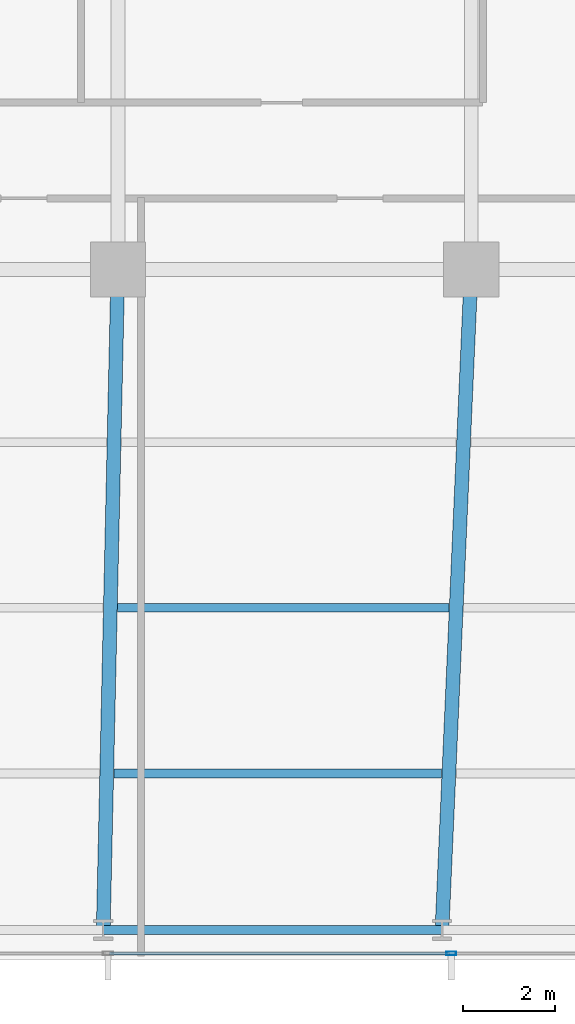
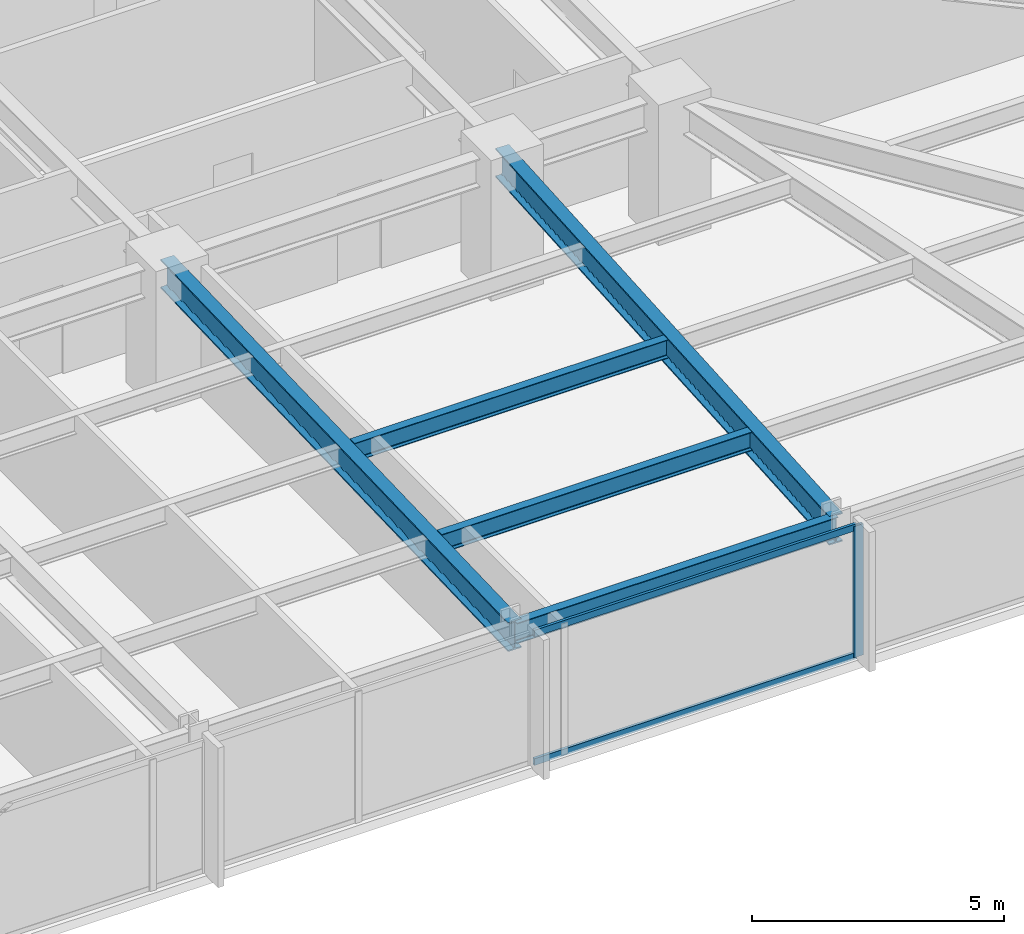
# One storey, part 12 of 32: 5 beams, 3 members, 1 element without a shape of its own.
"""IFC4 building model written with IfcOpenShell, lengths in metres."""

from ifc_helpers import new_model, si_unit, direction, frame, origin, origin_2d, place, context, subcontext, project, spatial, hollow_rectangle, i_section, extrude, material, material_profile, profile_set, type_object, element, aggregate, save


model = new_model("IFC4")

# Units and contexts
model_context = context("Model", 3, precision=1e-05, world=origin(), true_north=direction((0.0, 1.0)))
body_context = subcontext(model_context, "Body", "Model", "MODEL_VIEW")
ifc_project = project(units=[si_unit("LENGTHUNIT", "METRE"), si_unit("AREAUNIT", "SQUARE_METRE"), si_unit("VOLUMEUNIT", "CUBIC_METRE"), si_unit("PLANEANGLEUNIT", "RADIAN"), si_unit("MASSUNIT", "GRAM", prefix="KILO")], contexts=[model_context])

# Site, building, storey
site_placement = place(None, origin())
site = spatial("IfcSite", under=ifc_project, at=site_placement, CompositionType="ELEMENT")
building_placement = place(site_placement, origin())
building = spatial("IfcBuilding", under=site, at=building_placement, Name="Yelkora Congress Tower", CompositionType="ELEMENT")
storey_placement = place(building_placement, frame((0.0, 0.0, 61.0)))
storey = spatial("IfcBuildingStorey", under=building, at=storey_placement, Name="L15", CompositionType="ELEMENT", Elevation=61.0)

# Beams
ifc_material_1 = material(Name="Steel S355J2", Category="steel")
ifc_material_profile_1 = material_profile(ifc_material_1, i_section(OverallWidth=0.300048828125, OverallDepth=0.699951171875, WebThickness=0.01708984375, FlangeThickness=0.031982421875, FilletRadius=0.027099609375, at=origin_2d()), Name="HEB 700")
ifc_profile_set_1 = profile_set([ifc_material_profile_1], Name="Steel S355J2")
beam_type_1 = type_object("IfcBeamType", Name="BM-GIRD-HEB700", PredefinedType="BEAM", material=ifc_profile_set_1)
beam_1_placement = place(storey_placement, frame((45.762451171875, 10.85009765625, 2.830078125), z_axis=(0.022129088136, 0.999755121746, 0.0), x_axis=(-0.999755121746, 0.022129088136, 0.0)))
element("IfcBeam", 1, at=beam_1_placement, inside=storey, type_object=beam_type_1, Name="L15 Primary Frame Girder S06", PredefinedType="BEAM", context=body_context, shape_type="SweptSolid", body=[
    extrude(i_section(OverallWidth=0.300048828125, OverallDepth=0.699951171875, WebThickness=0.01708984375, FlangeThickness=0.031982421875, FilletRadius=0.027099609375, at=origin_2d()), origin(), (0.0, 0.0, 1.0), 14.353271484375),
])
beam_2_placement = place(storey_placement, frame((53.125, 10.85009765625, 2.830078125), z_axis=(0.044208738849, 0.999022315771, 0.0), x_axis=(-0.999022315771, 0.044208738849, 0.0)))
element("IfcBeam", 2, at=beam_2_placement, inside=storey, type_object=beam_type_1, Name="L15 Primary Frame Girder S07", PredefinedType="BEAM", context=body_context, shape_type="SweptSolid", body=[
    extrude(i_section(OverallWidth=0.300048828125, OverallDepth=0.699951171875, WebThickness=0.01708984375, FlangeThickness=0.031982421875, FilletRadius=0.027099609375, at=origin_2d()), origin(), (0.0, 0.0, 1.0), 14.364013671875),
])
ifc_material_profile_2 = material_profile(ifc_material_1, i_section(OverallWidth=0.18994140625, OverallDepth=0.449951171875, WebThickness=0.009521484375, FlangeThickness=0.0146484375, FilletRadius=0.02099609375, at=origin_2d()), Name="IPE 450")
ifc_profile_set_2 = profile_set([ifc_material_profile_2], Name="Steel S355J2")
beam_type_2 = type_object("IfcBeamType", Name="BM-JOIST-IPE450", PredefinedType="JOIST", material=ifc_profile_set_2)
beam_3_placement = place(storey_placement, frame((45.997802734375, 14.25, 2.955078125), z_axis=(1.0, 0.0, 0.0), x_axis=(0.0, 1.0, 0.0)))
element("IfcBeam", 3, at=beam_3_placement, inside=storey, type_object=beam_type_2, Name="L15 Composite Floor Joist 6", PredefinedType="JOIST", context=body_context, shape_type="SweptSolid", body=[
    extrude(i_section(OverallWidth=0.18994140625, OverallDepth=0.449951171875, WebThickness=0.009521484375, FlangeThickness=0.0146484375, FilletRadius=0.02099609375, at=origin_2d()), origin(), (0.0, 0.0, 1.0), 7.11767578125),
])
beam_4_placement = place(storey_placement, frame((46.077392578125, 17.85009765625, 2.955078125), z_axis=(1.0, 0.0, 0.0), x_axis=(0.0, 1.0, 0.0)))
element("IfcBeam", 4, at=beam_4_placement, inside=storey, type_object=beam_type_2, Name="L15 Composite Floor Joist 14", PredefinedType="JOIST", context=body_context, shape_type="SweptSolid", body=[
    extrude(i_section(OverallWidth=0.18994140625, OverallDepth=0.449951171875, WebThickness=0.009521484375, FlangeThickness=0.0146484375, FilletRadius=0.02099609375, at=origin_2d()), origin(), (0.0, 0.0, 1.0), 7.197509765625),
])
ifc_material_profile_3 = material_profile(ifc_material_1, i_section(OverallWidth=0.199951171875, OverallDepth=0.5, WebThickness=0.01025390625, FlangeThickness=0.01611328125, FilletRadius=0.02099609375, at=origin_2d()), Name="IPE 500")
ifc_profile_set_3 = profile_set([ifc_material_profile_3], Name="Steel S355J2")
beam_type_3 = type_object("IfcBeamType", Name="BM-SPAN-IPE500", PredefinedType="SPANDREL", material=ifc_profile_set_3)
beam_5_placement = place(storey_placement, frame((45.762451171875, 10.85009765625, 2.929931640625), z_axis=(1.0, 0.0, 0.0), x_axis=(0.0, 1.0, 0.0)))
element("IfcBeam", 5, at=beam_5_placement, inside=storey, type_object=beam_type_3, Name="L15 Perimeter Beam 7", PredefinedType="SPANDREL", context=body_context, shape_type="SweptSolid", body=[
    extrude(i_section(OverallWidth=0.199951171875, OverallDepth=0.5, WebThickness=0.01025390625, FlangeThickness=0.01611328125, FilletRadius=0.02099609375, at=origin_2d()), origin(), (0.0, 0.0, 1.0), 7.362548828125),
])

# Curtain wall, members
ifc_material_2 = material(Name="Anodised aluminium and insulated glass", Category="aluminium")
curtain_wall_type = type_object("IfcCurtainWallType", Name="CW-SYS-B1", PredefinedType="NOTDEFINED", material=ifc_material_2)
curtain_wall_placement = place(storey_placement, origin())
curtain_wall = element("IfcCurtainWall", 6, at=curtain_wall_placement, inside=storey, type_object=curtain_wall_type, Name="L15 Unitised Curtain Wall 20", PredefinedType="NOTDEFINED")
ifc_material_3 = material(Name="Anodised aluminium 6063-T6", Category="aluminium")
ifc_material_profile_4 = material_profile(ifc_material_3, hollow_rectangle(XDim=0.074951171875, YDim=0.219970703125, WallThickness=0.0048828125, at=origin_2d()), Name="ALU 75x220x5")
ifc_profile_set_4 = profile_set([ifc_material_profile_4], Name="Anodised aluminium 6063-T6")
member_type_1 = type_object("IfcMemberType", Name="MEM-ML-B1", PredefinedType="MULLION", material=ifc_profile_set_4)
member_1_placement = place(storey_placement, frame((53.330078125, 10.340087890625, 0.0), z_axis=(0.0, 0.0, 1.0), x_axis=(0.0, -1.0, 0.0)))
member_1 = element("IfcMember", 7, at=member_1_placement, type_object=member_type_1, Name="CW-B1 mullion 3", PredefinedType="MULLION", context=body_context, shape_type="SweptSolid", body=[
    extrude(hollow_rectangle(XDim=0.074951171875, YDim=0.219970703125, WallThickness=0.0048828125, at=origin_2d()), origin(), (0.0, 0.0, 1.0), 3.179931640625),
])
ifc_material_profile_5 = material_profile(ifc_material_3, hollow_rectangle(XDim=0.06494140625, YDim=0.159912109375, WallThickness=0.00390625, at=origin_2d()), Name="ALU 65x160x4")
ifc_profile_set_5 = profile_set([ifc_material_profile_5], Name="Anodised aluminium 6063-T6")
member_type_2 = type_object("IfcMemberType", Name="MEM-TR-B1", PredefinedType="USERDEFINED", material=ifc_profile_set_5)
member_2_placement = place(storey_placement, frame((53.29248046875, 10.340087890625, 0.032470703125), z_axis=(-1.0, 0.0, 0.0), x_axis=(0.0, -1.0, 0.0)))
member_2 = element("IfcMember", 8, at=member_2_placement, type_object=member_type_2, Name="CW-B1 transom 3.1", ObjectType="TRANSOM", PredefinedType="USERDEFINED", context=body_context, shape_type="SweptSolid", body=[
    extrude(hollow_rectangle(XDim=0.06494140625, YDim=0.159912109375, WallThickness=0.00390625, at=origin_2d()), origin(), (0.0, 0.0, 1.0), 7.389892578125),
])
member_3_placement = place(storey_placement, frame((53.29248046875, 10.340087890625, 3.1474609375), z_axis=(-1.0, 0.0, 0.0), x_axis=(0.0, -1.0, 0.0)))
member_3 = element("IfcMember", 9, at=member_3_placement, type_object=member_type_2, Name="CW-B1 transom 3.2", ObjectType="TRANSOM", PredefinedType="USERDEFINED", context=body_context, shape_type="SweptSolid", body=[
    extrude(hollow_rectangle(XDim=0.06494140625, YDim=0.159912109375, WallThickness=0.00390625, at=origin_2d()), origin(), (0.0, 0.0, 1.0), 7.389892578125),
])
aggregate(curtain_wall, [member_1, member_2, member_3])

save(model, "model.ifc")
